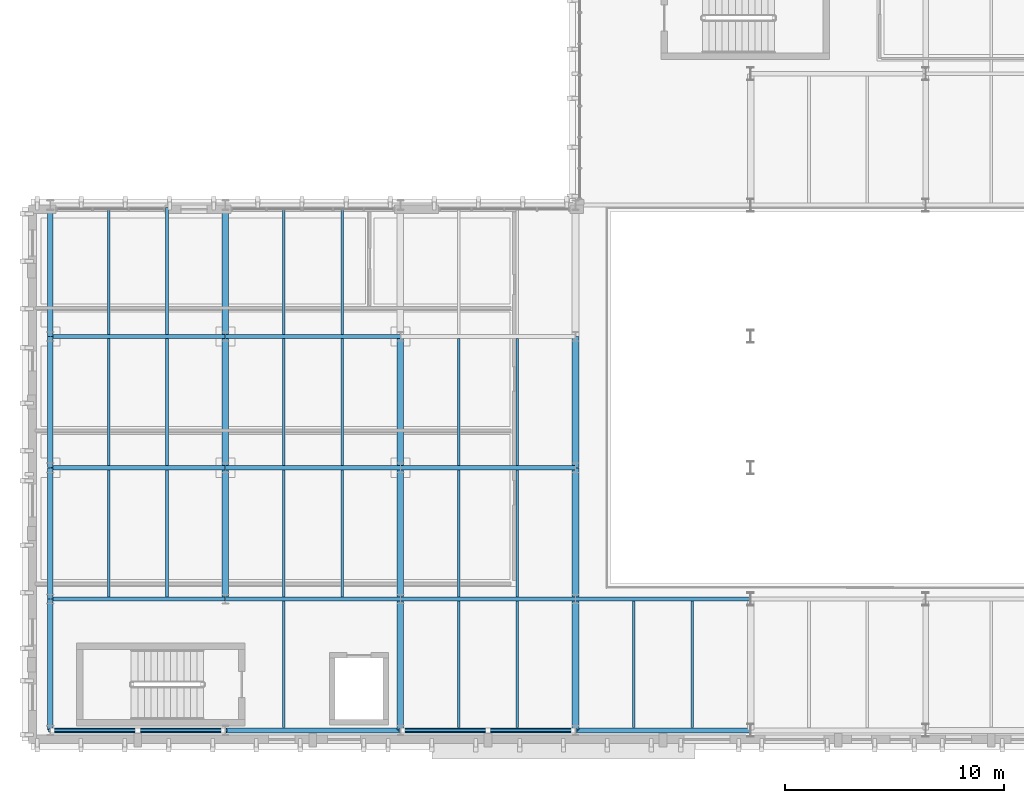
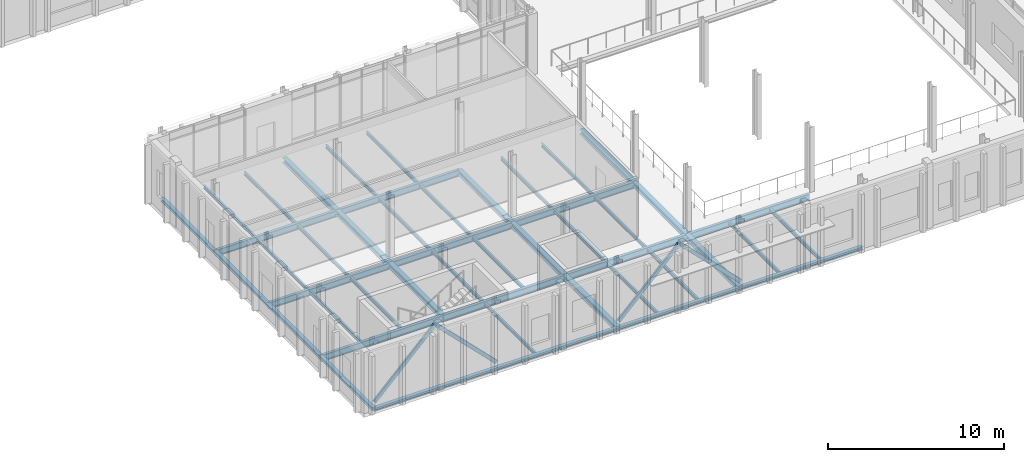
# One storey, part 12 of 100: 47 beams, 4 members.
"""IFC4 building model written with IfcOpenShell, lengths in metres."""

from ifc_helpers import new_model, si_unit, direction, frame, origin, origin_2d, place, context, subcontext, project, spatial, hollow_rectangle, i_section, extrude, material, material_profile, profile_set, type_object, element, save


model = new_model("IFC4")

# Units and contexts
model_context = context("Model", 3, precision=1e-05, world=origin(), true_north=direction((0.0, 1.0)))
body_context = subcontext(model_context, "Body", "Model", "MODEL_VIEW")
ifc_project = project(units=[si_unit("LENGTHUNIT", "METRE"), si_unit("AREAUNIT", "SQUARE_METRE"), si_unit("VOLUMEUNIT", "CUBIC_METRE"), si_unit("PLANEANGLEUNIT", "RADIAN"), si_unit("MASSUNIT", "GRAM", prefix="KILO")], contexts=[model_context])

# Site, building, storey
site_placement = place(None, origin())
site = spatial("IfcSite", under=ifc_project, at=site_placement, CompositionType="ELEMENT")
building_placement = place(site_placement, origin())
building = spatial("IfcBuilding", under=site, at=building_placement, Name="Cymarion Research Institute", CompositionType="ELEMENT")
storey_placement = place(building_placement, frame((0.0, 0.0, 4.800048828125)))
storey = spatial("IfcBuildingStorey", under=building, at=storey_placement, Name="L01", CompositionType="ELEMENT", Elevation=4.800048828125)

# Beams
ifc_material = material(Name="Steel S355", Category="steel")
ifc_material_profile_1 = material_profile(ifc_material, i_section(OverallWidth=0.18994140625, OverallDepth=0.449951171875, WebThickness=0.009521484375, FlangeThickness=0.0146484375, FilletRadius=0.02099609375, at=origin_2d()), Name="IPE 450")
ifc_profile_set_1 = profile_set([ifc_material_profile_1], Name="Steel S355")
beam_type_1 = type_object("IfcBeamType", Name="PRIMARY GIRDER BM04 IPE 450", PredefinedType="BEAM", material=ifc_profile_set_1)
for number, where, z_axis, x_axis, name in (
    (1, (6.60595703125, 11.5, -0.47509765625), (1.0, 0.0, 0.0), (0.0, 1.0, 0.0), "L01 V3 girder BM04 #539"),
    (2, (14.60595703125, 11.5, -0.47509765625), (1.0, 0.0, 0.0), (0.0, 1.0, 0.0), "L01 V3 girder BM04 #540"),
    (3, (22.60595703125, 11.5, -0.47509765625), (1.0, 0.0, 0.0), (0.0, 1.0, 0.0), "L01 V3 girder BM04 #541"),
    (4, (30.60595703125, 11.5, -0.47509765625), (1.0, 0.0, 0.0), (0.0, 1.0, 0.0), "L01 V3 girder BM04 #542"),
    (5, (6.60595703125, 17.5, -0.47509765625), (1.0, 0.0, 0.0), (0.0, 1.0, 0.0), "L01 V3 girder BM04 #545"),
    (6, (14.60595703125, 17.5, -0.47509765625), (1.0, 0.0, 0.0), (0.0, 1.0, 0.0), "L01 V3 girder BM04 #546"),
    (7, (22.60595703125, 17.5, -0.47509765625), (1.0, 0.0, 0.0), (0.0, 1.0, 0.0), "L01 V3 girder BM04 #547"),
    (8, (6.60595703125, 23.5, -0.47509765625), (1.0, 0.0, 0.0), (0.0, 1.0, 0.0), "L01 V3 girder BM04 #548"),
    (9, (14.60595703125, 23.5, -0.47509765625), (1.0, 0.0, 0.0), (0.0, 1.0, 0.0), "L01 V3 girder BM04 #549"),
):
    element("IfcBeam", number, at=place(storey_placement, frame(where, z_axis=z_axis, x_axis=x_axis)), inside=storey, type_object=beam_type_1, Name=name, PredefinedType="BEAM", context=body_context, shape_type="SweptSolid", body=[
        extrude(i_section(OverallWidth=0.18994140625, OverallDepth=0.449951171875, WebThickness=0.009521484375, FlangeThickness=0.0146484375, FilletRadius=0.02099609375, at=origin_2d()), origin(), (0.0, 0.0, 1.0), 7.988037109375),
    ])
ifc_material_profile_2 = material_profile(ifc_material, i_section(OverallWidth=0.300048828125, OverallDepth=0.35009765625, WebThickness=0.010009765625, FlangeThickness=0.017578125, FilletRadius=0.027099609375, at=origin_2d()), Name="HEA 360")
ifc_profile_set_2 = profile_set([ifc_material_profile_2], Name="Steel S355")
beam_type_2 = type_object("IfcBeamType", Name="PRIMARY GIRDER BM12 HEA 360", PredefinedType="BEAM", material=ifc_profile_set_2)
for number, where, z_axis, x_axis, name in (
    (10, (14.60009765625, 11.506103515625, -0.425048828125), (0.0, 1.0, 0.0), (-1.0, 0.0, 0.0), "L01 V3 girder BM12 #567"),
    (11, (14.60009765625, 17.506103515625, -0.425048828125), (0.0, 1.0, 0.0), (-1.0, 0.0, 0.0), "L01 V3 girder BM12 #568"),
    (12, (14.60009765625, 23.506103515625, -0.425048828125), (0.0, 1.0, 0.0), (-1.0, 0.0, 0.0), "L01 V3 girder BM12 #569"),
    (13, (22.60009765625, 5.506103515625, -0.425048828125), (0.0, 1.0, 0.0), (-1.0, 0.0, 0.0), "L01 V3 girder BM12 #570"),
    (14, (22.60009765625, 11.506103515625, -0.425048828125), (0.0, 1.0, 0.0), (-1.0, 0.0, 0.0), "L01 V3 girder BM12 #571"),
    (15, (22.60009765625, 17.506103515625, -0.425048828125), (0.0, 1.0, 0.0), (-1.0, 0.0, 0.0), "L01 V3 girder BM12 #572"),
    (16, (30.60009765625, 5.506103515625, -0.425048828125), (0.0, 1.0, 0.0), (-1.0, 0.0, 0.0), "L01 V3 girder BM12 #574"),
    (17, (30.60009765625, 11.506103515625, -0.425048828125), (0.0, 1.0, 0.0), (-1.0, 0.0, 0.0), "L01 V3 girder BM12 #575"),
    (18, (30.60009765625, 17.506103515625, -0.425048828125), (0.0, 1.0, 0.0), (-1.0, 0.0, 0.0), "L01 V3 girder BM12 #576"),
):
    element("IfcBeam", number, at=place(storey_placement, frame(where, z_axis=z_axis, x_axis=x_axis)), inside=storey, type_object=beam_type_2, Name=name, PredefinedType="BEAM", context=body_context, shape_type="SweptSolid", body=[
        extrude(i_section(OverallWidth=0.300048828125, OverallDepth=0.35009765625, WebThickness=0.010009765625, FlangeThickness=0.017578125, FilletRadius=0.027099609375, at=origin_2d()), origin(), (0.0, 0.0, 1.0), 5.98779296875),
    ])
ifc_material_profile_3 = material_profile(ifc_material, i_section(OverallWidth=0.1201171875, OverallDepth=0.239990234375, WebThickness=0.006103515625, FlangeThickness=0.009765625, FilletRadius=0.014892578125, at=origin_2d()), Name="IPE 240")
ifc_profile_set_3 = profile_set([ifc_material_profile_3], Name="Steel S355")
beam_type_3 = type_object("IfcBeamType", Name="SECONDARY JOIST JS04 IPE 240", PredefinedType="JOIST", material=ifc_profile_set_3)
for number, where, z_axis, x_axis, name in (
    (19, (17.2666015625, 5.6240234375, -0.3701171875), (0.0, 1.0, 0.0), (-1.0, 0.0, 0.0), "L01 V3 secondary joist JS04 #591"),
    (20, (25.2666015625, 5.6240234375, -0.3701171875), (0.0, 1.0, 0.0), (-1.0, 0.0, 0.0), "L01 V3 secondary joist JS04 #592"),
    (21, (27.933349609375, 5.6240234375, -0.3701171875), (0.0, 1.0, 0.0), (-1.0, 0.0, 0.0), "L01 V3 secondary joist JS04 #593"),
    (22, (33.2666015625, 5.6240234375, -0.3701171875), (0.0, 1.0, 0.0), (-1.0, 0.0, 0.0), "L01 V3 secondary joist JS04 #594"),
    (23, (35.933349609375, 5.6240234375, -0.3701171875), (0.0, 1.0, 0.0), (-1.0, 0.0, 0.0), "L01 V3 secondary joist JS04 #595"),
):
    element("IfcBeam", number, at=place(storey_placement, frame(where, z_axis=z_axis, x_axis=x_axis)), inside=storey, type_object=beam_type_3, Name=name, PredefinedType="JOIST", context=body_context, shape_type="SweptSolid", body=[
        extrude(i_section(OverallWidth=0.1201171875, OverallDepth=0.239990234375, WebThickness=0.006103515625, FlangeThickness=0.009765625, FilletRadius=0.014892578125, at=origin_2d()), origin(), (0.0, 0.0, 1.0), 5.77685546875),
    ])
for number, where, z_axis, x_axis, name in (
    (24, (9.2666015625, 11.59912109375, -0.3701171875), (0.0, 1.0, 0.0), (-1.0, 0.0, 0.0), "L01 V3 secondary joist JS04 #599"),
    (25, (11.933349609375, 11.59912109375, -0.3701171875), (0.0, 1.0, 0.0), (-1.0, 0.0, 0.0), "L01 V3 secondary joist JS04 #600"),
    (26, (17.2666015625, 11.59912109375, -0.3701171875), (0.0, 1.0, 0.0), (-1.0, 0.0, 0.0), "L01 V3 secondary joist JS04 #601"),
    (27, (19.933349609375, 11.59912109375, -0.3701171875), (0.0, 1.0, 0.0), (-1.0, 0.0, 0.0), "L01 V3 secondary joist JS04 #602"),
    (28, (25.2666015625, 11.59912109375, -0.3701171875), (0.0, 1.0, 0.0), (-1.0, 0.0, 0.0), "L01 V3 secondary joist JS04 #603"),
    (29, (27.933349609375, 11.59912109375, -0.3701171875), (0.0, 1.0, 0.0), (-1.0, 0.0, 0.0), "L01 V3 secondary joist JS04 #604"),
    (30, (9.2666015625, 17.59912109375, -0.3701171875), (0.0, 1.0, 0.0), (-1.0, 0.0, 0.0), "L01 V3 secondary joist JS04 #605"),
    (31, (11.933349609375, 17.59912109375, -0.3701171875), (0.0, 1.0, 0.0), (-1.0, 0.0, 0.0), "L01 V3 secondary joist JS04 #606"),
    (32, (17.2666015625, 17.59912109375, -0.3701171875), (0.0, 1.0, 0.0), (-1.0, 0.0, 0.0), "L01 V3 secondary joist JS04 #607"),
    (33, (19.933349609375, 17.59912109375, -0.3701171875), (0.0, 1.0, 0.0), (-1.0, 0.0, 0.0), "L01 V3 secondary joist JS04 #608"),
    (34, (25.2666015625, 17.59912109375, -0.3701171875), (0.0, 1.0, 0.0), (-1.0, 0.0, 0.0), "L01 V3 secondary joist JS04 #609"),
    (35, (27.933349609375, 17.59912109375, -0.3701171875), (0.0, 1.0, 0.0), (-1.0, 0.0, 0.0), "L01 V3 secondary joist JS04 #610"),
    (36, (9.2666015625, 23.59912109375, -0.3701171875), (0.0, 1.0, 0.0), (-1.0, 0.0, 0.0), "L01 V3 secondary joist JS04 #611"),
    (37, (11.933349609375, 23.59912109375, -0.3701171875), (0.0, 1.0, 0.0), (-1.0, 0.0, 0.0), "L01 V3 secondary joist JS04 #612"),
    (38, (17.2666015625, 23.59912109375, -0.3701171875), (0.0, 1.0, 0.0), (-1.0, 0.0, 0.0), "L01 V3 secondary joist JS04 #613"),
    (39, (19.933349609375, 23.59912109375, -0.3701171875), (0.0, 1.0, 0.0), (-1.0, 0.0, 0.0), "L01 V3 secondary joist JS04 #614"),
):
    element("IfcBeam", number, at=place(storey_placement, frame(where, z_axis=z_axis, x_axis=x_axis)), inside=storey, type_object=beam_type_3, Name=name, PredefinedType="JOIST", context=body_context, shape_type="SweptSolid", body=[
        extrude(i_section(OverallWidth=0.1201171875, OverallDepth=0.239990234375, WebThickness=0.006103515625, FlangeThickness=0.009765625, FilletRadius=0.014892578125, at=origin_2d()), origin(), (0.0, 0.0, 1.0), 5.8017578125),
    ])
ifc_material_profile_4 = material_profile(ifc_material, i_section(OverallWidth=0.239990234375, OverallDepth=0.22998046875, WebThickness=0.007568359375, FlangeThickness=0.011962890625, FilletRadius=0.02099609375, at=origin_2d()), Name="HEA 240")
ifc_profile_set_4 = profile_set([ifc_material_profile_4], Name="Steel S355")
beam_type_4 = type_object("IfcBeamType", Name="SPANDREL BEAM SPB03 HEA 240", PredefinedType="SPANDREL", material=ifc_profile_set_4)
for number, where, z_axis, x_axis, name in (
    (40, (6.60595703125, 5.5, -0.364990234375), (1.0, 0.0, 0.0), (0.0, 1.0, 0.0), "L01 V3 girder SPB03 #533"),
    (41, (14.60595703125, 5.5, -0.364990234375), (1.0, 0.0, 0.0), (0.0, 1.0, 0.0), "L01 V3 girder SPB03 #534"),
    (42, (22.60595703125, 5.5, -0.364990234375), (1.0, 0.0, 0.0), (0.0, 1.0, 0.0), "L01 V3 girder SPB03 #535"),
    (43, (30.60595703125, 5.5, -0.364990234375), (1.0, 0.0, 0.0), (0.0, 1.0, 0.0), "L01 V3 girder SPB03 #536"),
):
    element("IfcBeam", number, at=place(storey_placement, frame(where, z_axis=z_axis, x_axis=x_axis)), inside=storey, type_object=beam_type_4, Name=name, PredefinedType="SPANDREL", context=body_context, shape_type="SweptSolid", body=[
        extrude(i_section(OverallWidth=0.239990234375, OverallDepth=0.22998046875, WebThickness=0.007568359375, FlangeThickness=0.011962890625, FilletRadius=0.02099609375, at=origin_2d()), origin(), (0.0, 0.0, 1.0), 7.988037109375),
    ])
for number, where, z_axis, x_axis, name in (
    (44, (6.60009765625, 5.506103515625, -0.364990234375), (0.0, 1.0, 0.0), (-1.0, 0.0, 0.0), "L01 V3 girder SPB03 #563"),
    (45, (6.60009765625, 11.506103515625, -0.364990234375), (0.0, 1.0, 0.0), (-1.0, 0.0, 0.0), "L01 V3 girder SPB03 #564"),
    (46, (6.60009765625, 17.506103515625, -0.364990234375), (0.0, 1.0, 0.0), (-1.0, 0.0, 0.0), "L01 V3 girder SPB03 #565"),
    (47, (6.60009765625, 23.506103515625, -0.364990234375), (0.0, 1.0, 0.0), (-1.0, 0.0, 0.0), "L01 V3 girder SPB03 #566"),
):
    element("IfcBeam", number, at=place(storey_placement, frame(where, z_axis=z_axis, x_axis=x_axis)), inside=storey, type_object=beam_type_4, Name=name, PredefinedType="SPANDREL", context=body_context, shape_type="SweptSolid", body=[
        extrude(i_section(OverallWidth=0.239990234375, OverallDepth=0.22998046875, WebThickness=0.007568359375, FlangeThickness=0.011962890625, FilletRadius=0.02099609375, at=origin_2d()), origin(), (0.0, 0.0, 1.0), 5.98779296875),
    ])

# Members
ifc_material_profile_5 = material_profile(ifc_material, hollow_rectangle(XDim=0.14990234375, YDim=0.25, WallThickness=0.010009765625, InnerFilletRadius=0.014892578125, OuterFilletRadius=0.02490234375, at=origin_2d()), Name="RHS 250x150x10")
ifc_profile_set_5 = profile_set([ifc_material_profile_5], Name="Steel S355")
member_type = type_object("IfcMemberType", Name="STRUCTURAL MEMBER BR09 RHS 250x150x10", PredefinedType="BRACE", material=ifc_profile_set_5)
member_1_placement = place(storey_placement, frame((6.6142578125, 5.5, 0.119873046875), z_axis=(0.70610954467, 0.0, 0.708102613275), x_axis=(0.0, 1.0, 0.0)))
element("IfcMember", 48, at=member_1_placement, inside=storey, type_object=member_type, Name="L01 V3 seismic chevron brace BR09 #1", PredefinedType="BRACE", context=body_context, shape_type="SweptSolid", body=[
    extrude(hollow_rectangle(XDim=0.14990234375, YDim=0.25, WallThickness=0.010009765625, InnerFilletRadius=0.014892578125, OuterFilletRadius=0.02490234375, at=origin_2d()), origin(), (0.0, 0.0, 1.0), 5.634765625),
])
member_2_placement = place(storey_placement, frame((14.585693359375, 5.5, 0.119873046875), z_axis=(-0.706087818821, 0.0, 0.708124277307), x_axis=(0.0, -1.0, 0.0)))
element("IfcMember", 49, at=member_2_placement, inside=storey, type_object=member_type, Name="L01 V3 seismic chevron brace BR09 #2", PredefinedType="BRACE", context=body_context, shape_type="SweptSolid", body=[
    extrude(hollow_rectangle(XDim=0.14990234375, YDim=0.25, WallThickness=0.010009765625, InnerFilletRadius=0.014892578125, OuterFilletRadius=0.02490234375, at=origin_2d()), origin(), (0.0, 0.0, 1.0), 5.634521484375),
])
member_3_placement = place(storey_placement, frame((22.6142578125, 5.5, 0.119873046875), z_axis=(0.70610954467, 0.0, 0.708102613275), x_axis=(0.0, 1.0, 0.0)))
element("IfcMember", 50, at=member_3_placement, inside=storey, type_object=member_type, Name="L01 V3 seismic chevron brace BR09 #1", PredefinedType="BRACE", context=body_context, shape_type="SweptSolid", body=[
    extrude(hollow_rectangle(XDim=0.14990234375, YDim=0.25, WallThickness=0.010009765625, InnerFilletRadius=0.014892578125, OuterFilletRadius=0.02490234375, at=origin_2d()), origin(), (0.0, 0.0, 1.0), 5.634765625),
])
member_4_placement = place(storey_placement, frame((30.585693359375, 5.5, 0.119873046875), z_axis=(-0.706087818821, 0.0, 0.708124277307), x_axis=(0.0, -1.0, 0.0)))
element("IfcMember", 51, at=member_4_placement, inside=storey, type_object=member_type, Name="L01 V3 seismic chevron brace BR09 #2", PredefinedType="BRACE", context=body_context, shape_type="SweptSolid", body=[
    extrude(hollow_rectangle(XDim=0.14990234375, YDim=0.25, WallThickness=0.010009765625, InnerFilletRadius=0.014892578125, OuterFilletRadius=0.02490234375, at=origin_2d()), origin(), (0.0, 0.0, 1.0), 5.634521484375),
])

save(model, "model.ifc")
